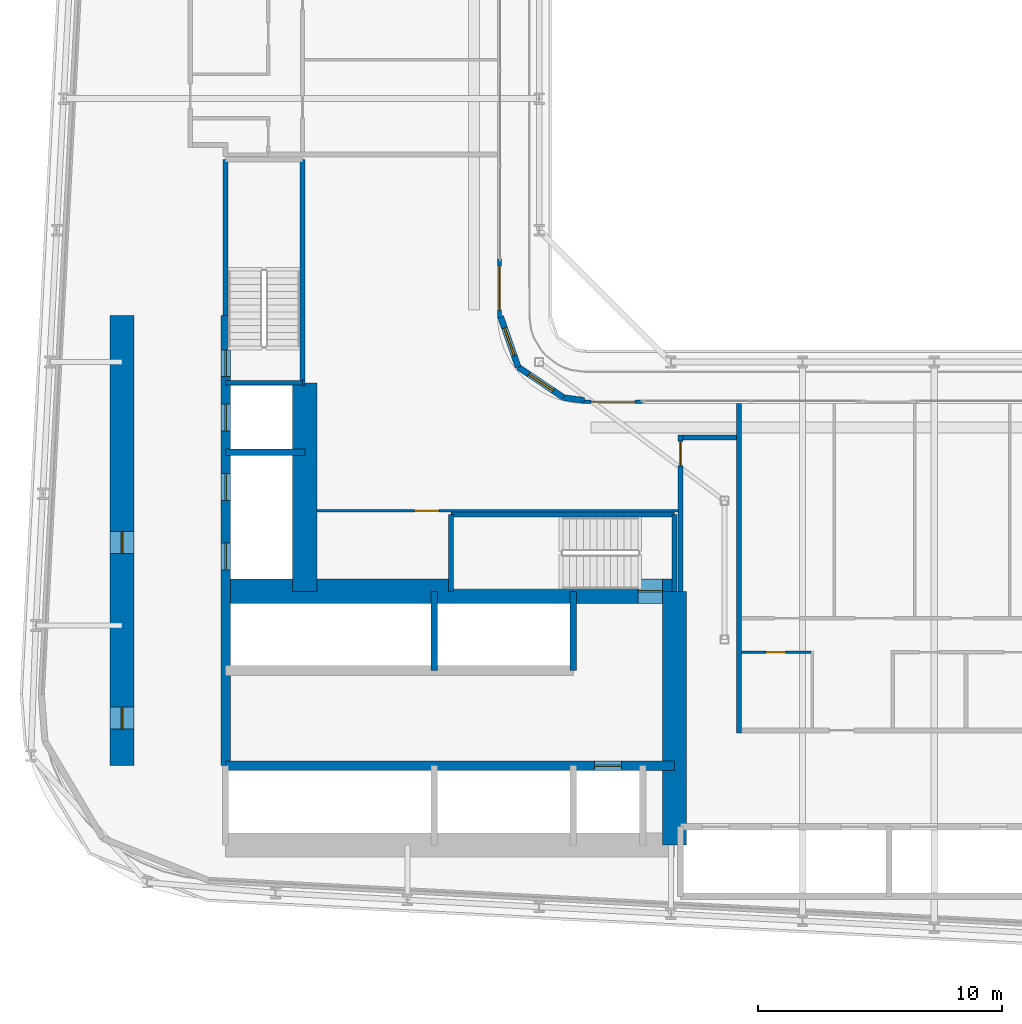
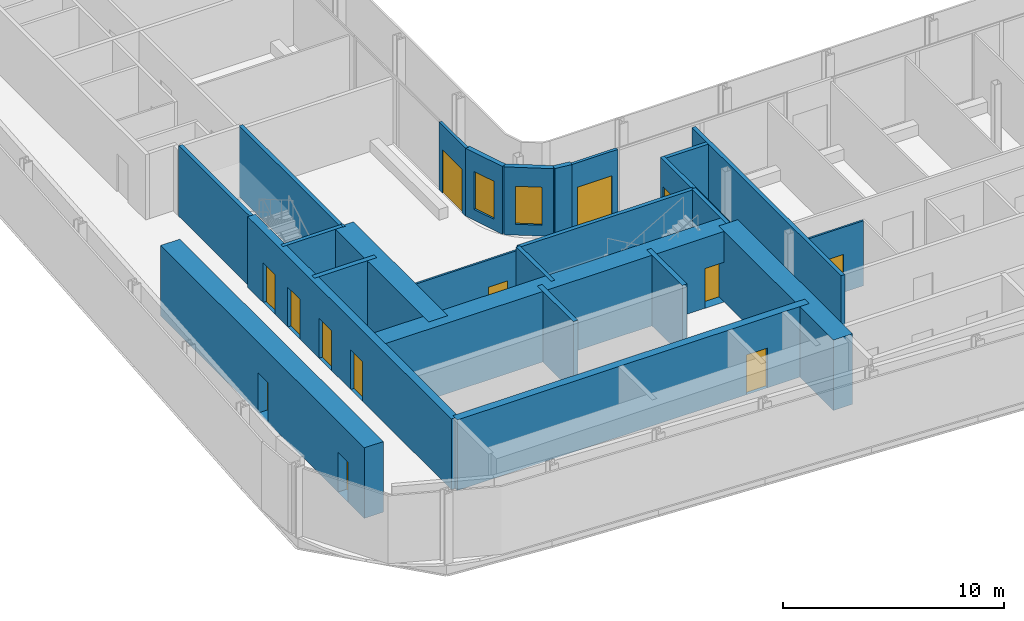
# One storey, part 13 of 27: 26 walls, 13 doors, 2 windows, 15 openings.
"""IFC4 building model written with IfcOpenShell, lengths in metres."""

from ifc_helpers import new_model, si_unit, direction, frame, frame_2d, origin, place, context, subcontext, project, spatial, rectangle, extrude, source, transform, mapped, material, layer, layer_set, type_object, element, fill, save


model = new_model("IFC4")

# Units and contexts
model_context = context("Model", 3, precision=1e-05, world=origin(), true_north=direction((0.0, 1.0)))
body_context = subcontext(model_context, "Body", "Model", "MODEL_VIEW")
ifc_project = project(units=[si_unit("LENGTHUNIT", "METRE"), si_unit("AREAUNIT", "SQUARE_METRE"), si_unit("VOLUMEUNIT", "CUBIC_METRE"), si_unit("PLANEANGLEUNIT", "RADIAN"), si_unit("MASSUNIT", "GRAM", prefix="KILO")], contexts=[model_context])

# Site, building, storey
site_placement = place(None, origin())
site = spatial("IfcSite", under=ifc_project, at=site_placement, CompositionType="ELEMENT")
building_placement = place(site_placement, origin())
building = spatial("IfcBuilding", under=site, at=building_placement, Name="Kheshtan School and Residences Tower", CompositionType="ELEMENT")
storey_placement = place(building_placement, frame((0.0, 0.0, 46.10009765625)))
storey = spatial("IfcBuildingStorey", under=building, at=storey_placement, Name="L10", CompositionType="ELEMENT", Elevation=46.10009765625)

# Wall, opening, door
ifc_material_1 = material(Name="Concrete C80/95", Category="concrete")
ifc_layer_1 = layer(ifc_material_1, 1.0)
ifc_layer_set_1 = layer_set([ifc_layer_1], Name="Core wall 1000 Concrete C80/95")
wall_type_1 = type_object("IfcWallType", Name="Core wall 1000 Concrete C80/95", PredefinedType="SHEAR", material=ifc_layer_set_1)
wall_1_placement = place(storey_placement, frame((34.75, 36.199951171875, 0.0), z_axis=(0.0, 0.0, 1.0), x_axis=(1.0, 0.0, 0.0)))
wall_1 = element("IfcWall", 1, at=wall_1_placement, inside=storey, type_object=wall_type_1, Name="Core wall CW-FRONT-S", PredefinedType="SHEAR", context=body_context, shape_type="SweptSolid", body=[
    extrude(rectangle(XDim=18.39990234375, YDim=1.0, at=frame_2d((9.199951171875, 0.0))), origin(), (0.0, 0.0, 1.0), 3.89990234375),
])
opening_1_placement = place(wall_1_placement, frame((16.89990234375, 0.0, 0.0)))
opening_1 = element("IfcOpeningElement", 2, at=opening_1_placement, cuts=wall_1, Name="Opening ST1D", PredefinedType="OPENING", context=body_context, shape_type="SweptSolid", body=[
    extrude(rectangle(XDim=1.0, YDim=2.199951171875, at=frame_2d((0.5, 1.10009765625))), frame((0.0, 0.510009765625, 0.0), z_axis=(0.0, -1.0, 0.0), x_axis=(1.0, 0.0, 0.0)), (0.0, 0.0, 1.0), 1.02001953125),
])
ifc_material_2 = material(Name="Steel door leaf, galvanised", Category="steel")
door_type_1 = type_object("IfcDoorType", Name="Stair door 1100 steel 90 min", OperationType="SINGLE_SWING_LEFT", PredefinedType="DOOR", material=ifc_material_2)
shared_shape_1 = source(origin(), body_context, "Body", "SweptSolid", [
    extrude(rectangle(XDim=1.0, YDim=2.199951171875, at=frame_2d((0.5, 1.10009765625))), frame((0.0, 0.02490234375, 0.0), z_axis=(0.0, -1.0, 0.0), x_axis=(1.0, 0.0, 0.0)), (0.0, 0.0, 1.0), 0.050048828125),
])
door_1_placement = place(opening_1_placement, origin())
door_1 = element("IfcDoor", 3, at=door_1_placement, inside=storey, type_object=door_type_1, Name="Stair ST1 door", OperationType="SINGLE_SWING_RIGHT", OverallHeight=2.199951171875, OverallWidth=1.0, PredefinedType="DOOR", context=body_context, shape_type="MappedRepresentation", body=[
    mapped(shared_shape_1, transform((0.0, 0.0, 0.0), x_axis=(1.0, 0.0, 0.0), y_axis=(0.0, 1.0, 0.0), z_axis=(0.0, 0.0, 1.0), scale=1.0)),
])
fill(opening_1, door_1)

# Wall
wall_2_placement = place(storey_placement, frame((38.0, 36.199951171875, 0.0), z_axis=(0.0, 0.0, 1.0), x_axis=(0.0, 1.0, 0.0)))
element("IfcWall", 4, at=wall_2_placement, inside=storey, type_object=wall_type_1, Name="Core wall CW-FRONT-W", PredefinedType="SHEAR", context=body_context, shape_type="SweptSolid", body=[
    extrude(rectangle(XDim=8.550048828125, YDim=1.0, at=frame_2d((4.27490234375, 0.0))), origin(), (0.0, 0.0, 1.0), 3.89990234375),
])

# Wall, openings, doors
wall_3_placement = place(storey_placement, frame((30.5, 29.050048828125, 0.0), z_axis=(0.0, 0.0, 1.0), x_axis=(0.0, 1.0, 0.0)))
wall_3 = element("IfcWall", 5, at=wall_3_placement, inside=storey, type_object=wall_type_1, Name="Core wall CW-REAR-W", PredefinedType="SHEAR", context=body_context, shape_type="SweptSolid", body=[
    extrude(rectangle(XDim=18.449951171875, YDim=1.0, at=frame_2d((9.22509765625, 0.0))), origin(), (0.0, 0.0, 1.0), 3.89990234375),
])
opening_2_placement = place(wall_3_placement, frame((1.5, 0.0, 0.0)))
opening_2 = element("IfcOpeningElement", 6, at=opening_2_placement, cuts=wall_3, Name="Opening SR90", PredefinedType="OPENING", context=body_context, shape_type="SweptSolid", body=[
    extrude(rectangle(XDim=0.89990234375, YDim=2.199951171875, at=frame_2d((0.449951171875, 1.10009765625))), frame((0.0, 0.510009765625, 0.0), z_axis=(0.0, -1.0, 0.0), x_axis=(1.0, 0.0, 0.0)), (0.0, 0.0, 1.0), 1.02001953125),
])
opening_3_placement = place(wall_3_placement, frame((8.705078125, 0.0, 0.0)))
opening_3 = element("IfcOpeningElement", 7, at=opening_3_placement, cuts=wall_3, Name="Opening SR90", PredefinedType="OPENING", context=body_context, shape_type="SweptSolid", body=[
    extrude(rectangle(XDim=0.89990234375, YDim=2.199951171875, at=frame_2d((0.449951171875, 1.10009765625))), frame((0.0, 0.510009765625, 0.0), z_axis=(0.0, -1.0, 0.0), x_axis=(1.0, 0.0, 0.0)), (0.0, 0.0, 1.0), 1.02001953125),
])
door_type_2 = type_object("IfcDoorType", Name="Service room door 900 steel 90 min", OperationType="SINGLE_SWING_LEFT", PredefinedType="DOOR", material=ifc_material_2)
shared_shape_2 = source(origin(), body_context, "Body", "SweptSolid", [
    extrude(rectangle(XDim=0.89990234375, YDim=2.199951171875, at=frame_2d((0.449951171875, 1.10009765625))), frame((0.0, 0.02490234375, 0.0), z_axis=(0.0, -1.0, 0.0), x_axis=(1.0, 0.0, 0.0)), (0.0, 0.0, 1.0), 0.050048828125),
])
door_2_placement = place(opening_2_placement, origin())
door_2 = element("IfcDoor", 8, at=door_2_placement, inside=storey, type_object=door_type_2, Name="Service room door", OperationType="SINGLE_SWING_LEFT", OverallHeight=2.199951171875, OverallWidth=0.89990234375, PredefinedType="DOOR", context=body_context, shape_type="MappedRepresentation", body=[
    mapped(shared_shape_2, transform((0.0, 0.0, 0.0), x_axis=(1.0, 0.0, 0.0), y_axis=(0.0, 1.0, 0.0), z_axis=(0.0, 0.0, 1.0), scale=1.0)),
])
fill(opening_2, door_2)
door_3_placement = place(opening_3_placement, origin())
door_3 = element("IfcDoor", 9, at=door_3_placement, inside=storey, type_object=door_type_2, Name="Service room door", OperationType="SINGLE_SWING_LEFT", OverallHeight=2.199951171875, OverallWidth=0.89990234375, PredefinedType="DOOR", context=body_context, shape_type="MappedRepresentation", body=[
    mapped(shared_shape_2, transform((0.0, 0.0, 0.0), x_axis=(1.0, 0.0, 0.0), y_axis=(0.0, 1.0, 0.0), z_axis=(0.0, 0.0, 1.0), scale=1.0)),
])
fill(opening_3, door_3)

# Wall
wall_4_placement = place(storey_placement, frame((53.14990234375, 25.800048828125, 0.0), z_axis=(0.0, 0.0, 1.0), x_axis=(0.0, 1.0, 0.0)))
element("IfcWall", 10, at=wall_4_placement, inside=storey, type_object=wall_type_1, Name="Core wall CW-EAST", PredefinedType="SHEAR", context=body_context, shape_type="SweptSolid", body=[
    extrude(rectangle(XDim=10.39990234375, YDim=1.0, at=frame_2d((5.199951171875, 0.0))), origin(), (0.0, 0.0, 1.0), 3.89990234375),
])

# Wall, opening, door
ifc_material_3 = material(Name="Concrete C50/60", Category="concrete")
ifc_layer_2 = layer(ifc_material_3, 0.39990234375)
ifc_layer_set_2 = layer_set([ifc_layer_2], Name="Core wall 400 Concrete C50/60")
wall_type_2 = type_object("IfcWallType", Name="Core wall 400 Concrete C50/60", PredefinedType="SHEAR", material=ifc_layer_set_2)
wall_5_placement = place(storey_placement, frame((34.75, 29.050048828125, 0.0), z_axis=(0.0, 0.0, 1.0), x_axis=(1.0, 0.0, 0.0)))
wall_5 = element("IfcWall", 11, at=wall_5_placement, inside=storey, type_object=wall_type_2, Name="Core wall CW-HALL-S1", PredefinedType="SHEAR", context=body_context, shape_type="SweptSolid", body=[
    extrude(rectangle(XDim=18.39990234375, YDim=0.39990234375, at=frame_2d((9.199951171875, 0.0))), origin(), (0.0, 0.0, 1.0), 3.89990234375),
])
opening_4_placement = place(wall_5_placement, frame((15.125, 0.0, 0.0)))
opening_4 = element("IfcOpeningElement", 12, at=opening_4_placement, cuts=wall_5, Name="Opening LD", PredefinedType="OPENING", context=body_context, shape_type="SweptSolid", body=[
    extrude(rectangle(XDim=1.10009765625, YDim=2.199951171875, at=frame_2d((0.550048828125, 1.10009765625))), frame((0.0, 0.2099609375, 0.0), z_axis=(0.0, -1.0, 0.0), x_axis=(1.0, 0.0, 0.0)), (0.0, 0.0, 1.0), 0.419921875),
])
ifc_material_4 = material(Name="Stainless steel door leaves", Category="steel")
door_type_3 = type_object("IfcDoorType", Name="Lift landing door 1100", OperationType="SLIDING_TO_LEFT", PredefinedType="DOOR", material=ifc_material_4)
shared_shape_3 = source(origin(), body_context, "Body", "SweptSolid", [
    extrude(rectangle(XDim=1.10009765625, YDim=2.199951171875, at=frame_2d((0.550048828125, 1.10009765625))), frame((0.0, 0.02490234375, 0.0), z_axis=(0.0, -1.0, 0.0), x_axis=(1.0, 0.0, 0.0)), (0.0, 0.0, 1.0), 0.050048828125),
])
door_4_placement = place(opening_4_placement, origin())
door_4 = element("IfcDoor", 13, at=door_4_placement, inside=storey, type_object=door_type_3, Name="Lift FFL2 landing door", OperationType="SLIDING_TO_LEFT", OverallHeight=2.199951171875, OverallWidth=1.10009765625, PredefinedType="DOOR", context=body_context, shape_type="MappedRepresentation", body=[
    mapped(shared_shape_3, transform((0.0, 0.0, 0.0), x_axis=(1.0, 0.0, 0.0), y_axis=(0.0, 1.0, 0.0), z_axis=(0.0, 0.0, 1.0), scale=1.0)),
])
fill(opening_4, door_4)

# Wall, openings, doors
wall_6_placement = place(storey_placement, frame((34.75, 29.050048828125, 0.0), z_axis=(0.0, 0.0, 1.0), x_axis=(0.0, 1.0, 0.0)))
wall_6 = element("IfcWall", 14, at=wall_6_placement, inside=storey, type_object=wall_type_2, Name="Core wall CW-HALL-W1", PredefinedType="SHEAR", context=body_context, shape_type="SweptSolid", body=[
    extrude(rectangle(XDim=18.449951171875, YDim=0.39990234375, at=frame_2d((9.22509765625, 0.0))), origin(), (0.0, 0.0, 1.0), 3.89990234375),
])
opening_5_placement = place(wall_6_placement, frame((8.02490234375, 0.0, 0.0)))
opening_5 = element("IfcOpeningElement", 15, at=opening_5_placement, cuts=wall_6, Name="Opening LD", PredefinedType="OPENING", context=body_context, shape_type="SweptSolid", body=[
    extrude(rectangle(XDim=1.10009765625, YDim=2.199951171875, at=frame_2d((0.550048828125, 1.10009765625))), frame((0.0, 0.2099609375, 0.0), z_axis=(0.0, -1.0, 0.0), x_axis=(1.0, 0.0, 0.0)), (0.0, 0.0, 1.0), 0.419921875),
])
opening_6_placement = place(wall_6_placement, frame((10.875, 0.0, 0.0)))
opening_6 = element("IfcOpeningElement", 16, at=opening_6_placement, cuts=wall_6, Name="Opening LD", PredefinedType="OPENING", context=body_context, shape_type="SweptSolid", body=[
    extrude(rectangle(XDim=1.10009765625, YDim=2.199951171875, at=frame_2d((0.550048828125, 1.10009765625))), frame((0.0, 0.2099609375, 0.0), z_axis=(0.0, -1.0, 0.0), x_axis=(1.0, 0.0, 0.0)), (0.0, 0.0, 1.0), 0.419921875),
])
opening_7_placement = place(wall_6_placement, frame((13.72509765625, 0.0, 0.0)))
opening_7 = element("IfcOpeningElement", 17, at=opening_7_placement, cuts=wall_6, Name="Opening LD", PredefinedType="OPENING", context=body_context, shape_type="SweptSolid", body=[
    extrude(rectangle(XDim=1.10009765625, YDim=2.199951171875, at=frame_2d((0.550048828125, 1.10009765625))), frame((0.0, 0.2099609375, 0.0), z_axis=(0.0, -1.0, 0.0), x_axis=(1.0, 0.0, 0.0)), (0.0, 0.0, 1.0), 0.419921875),
])
opening_8_placement = place(wall_6_placement, frame((15.949951171875, 0.0, 0.0)))
opening_8 = element("IfcOpeningElement", 18, at=opening_8_placement, cuts=wall_6, Name="Opening ST2D", PredefinedType="OPENING", context=body_context, shape_type="SweptSolid", body=[
    extrude(rectangle(XDim=1.10009765625, YDim=2.199951171875, at=frame_2d((0.550048828125, 1.10009765625))), frame((0.0, 0.2099609375, 0.0), z_axis=(0.0, -1.0, 0.0), x_axis=(1.0, 0.0, 0.0)), (0.0, 0.0, 1.0), 0.419921875),
])
door_5_placement = place(opening_5_placement, origin())
door_5 = element("IfcDoor", 19, at=door_5_placement, inside=storey, type_object=door_type_3, Name="Lift SV1 landing door", OperationType="SLIDING_TO_LEFT", OverallHeight=2.199951171875, OverallWidth=1.10009765625, PredefinedType="DOOR", context=body_context, shape_type="MappedRepresentation", body=[
    mapped(shared_shape_3, transform((0.0, 0.0, 0.0), x_axis=(1.0, 0.0, 0.0), y_axis=(0.0, 1.0, 0.0), z_axis=(0.0, 0.0, 1.0), scale=1.0)),
])
fill(opening_5, door_5)
door_6_placement = place(opening_6_placement, origin())
door_6 = element("IfcDoor", 20, at=door_6_placement, inside=storey, type_object=door_type_3, Name="Lift SV2 landing door", OperationType="SLIDING_TO_LEFT", OverallHeight=2.199951171875, OverallWidth=1.10009765625, PredefinedType="DOOR", context=body_context, shape_type="MappedRepresentation", body=[
    mapped(shared_shape_3, transform((0.0, 0.0, 0.0), x_axis=(1.0, 0.0, 0.0), y_axis=(0.0, 1.0, 0.0), z_axis=(0.0, 0.0, 1.0), scale=1.0)),
])
fill(opening_6, door_6)
door_7_placement = place(opening_7_placement, origin())
door_7 = element("IfcDoor", 21, at=door_7_placement, inside=storey, type_object=door_type_3, Name="Lift FFL1 landing door", OperationType="SLIDING_TO_LEFT", OverallHeight=2.199951171875, OverallWidth=1.10009765625, PredefinedType="DOOR", context=body_context, shape_type="MappedRepresentation", body=[
    mapped(shared_shape_3, transform((0.0, 0.0, 0.0), x_axis=(1.0, 0.0, 0.0), y_axis=(0.0, 1.0, 0.0), z_axis=(0.0, 0.0, 1.0), scale=1.0)),
])
fill(opening_7, door_7)
shared_shape_4 = source(origin(), body_context, "Body", "SweptSolid", [
    extrude(rectangle(XDim=1.10009765625, YDim=2.199951171875, at=frame_2d((0.550048828125, 1.10009765625))), frame((0.0, 0.02490234375, 0.0), z_axis=(0.0, -1.0, 0.0), x_axis=(1.0, 0.0, 0.0)), (0.0, 0.0, 1.0), 0.050048828125),
])
door_8_placement = place(opening_8_placement, origin())
door_8 = element("IfcDoor", 22, at=door_8_placement, inside=storey, type_object=door_type_1, Name="Stair ST2 door", OperationType="SINGLE_SWING_RIGHT", OverallHeight=2.199951171875, OverallWidth=1.10009765625, PredefinedType="DOOR", context=body_context, shape_type="MappedRepresentation", body=[
    mapped(shared_shape_4, transform((0.0, 0.0, 0.0), x_axis=(1.0, 0.0, 0.0), y_axis=(0.0, 1.0, 0.0), z_axis=(0.0, 0.0, 1.0), scale=1.0)),
])
fill(opening_8, door_8)

# Wall, opening, door
ifc_material_5 = material(Name="Gypsum board on steel studs with fire boards", Category="steel")
ifc_layer_3 = layer(ifc_material_5, 0.199951171875)
ifc_layer_set_3 = layer_set([ifc_layer_3], Name="Corridor wall 200")
wall_type_3 = type_object("IfcWallType", Name="Corridor wall 200", PredefinedType="PARTITIONING", material=ifc_layer_set_3)
wall_7_placement = place(storey_placement, frame((53.39990234375, 36.198974609375, 0.0), z_axis=(0.0, 0.0, 1.0), x_axis=(0.0, 1.0, 0.0)))
wall_7 = element("IfcWall", 23, at=wall_7_placement, inside=storey, type_object=wall_type_3, Name="Partition L10-045", PredefinedType="PARTITIONING", context=body_context, shape_type="SweptSolid", body=[
    extrude(rectangle(XDim=6.401123046875, YDim=0.199951171875, at=frame_2d((3.20068359375, 0.0))), origin(), (0.0, 0.0, 1.0), 3.599853515625),
])
opening_9_placement = place(wall_7_placement, frame((5.15087890625, 0.0, 0.0)))
opening_9 = element("IfcOpeningElement", 24, at=opening_9_placement, cuts=wall_7, Name="Opening D10-057", PredefinedType="OPENING", context=body_context, shape_type="SweptSolid", body=[
    extrude(rectangle(XDim=1.0, YDim=2.10009765625, at=frame_2d((0.5, 1.050048828125))), frame((0.0, 0.10986328125, 0.0), z_axis=(0.0, -1.0, 0.0), x_axis=(1.0, 0.0, 0.0)), (0.0, 0.0, 1.0), 0.219970703125),
])
ifc_material_6 = material(Name="Steel-framed fire-resisting door leaf", Category="steel")
door_type_4 = type_object("IfcDoorType", Name="Fire door FD60 1000 x 2100", OperationType="SINGLE_SWING_LEFT", PredefinedType="DOOR", material=ifc_material_6)
shared_shape_5 = source(origin(), body_context, "Body", "SweptSolid", [
    extrude(rectangle(XDim=1.0, YDim=2.10009765625, at=frame_2d((0.5, 1.050048828125))), frame((0.0, 0.02490234375, 0.0), z_axis=(0.0, -1.0, 0.0), x_axis=(1.0, 0.0, 0.0)), (0.0, 0.0, 1.0), 0.050048828125),
])
door_9_placement = place(opening_9_placement, origin())
door_9 = element("IfcDoor", 25, at=door_9_placement, inside=storey, type_object=door_type_4, Name="Door D10-057", OperationType="SINGLE_SWING_RIGHT", OverallHeight=2.10009765625, OverallWidth=1.0, PredefinedType="DOOR", context=body_context, shape_type="MappedRepresentation", body=[
    mapped(shared_shape_5, transform((0.0, 0.0, 0.0), x_axis=(1.0, 0.0, 0.0), y_axis=(0.0, 1.0, 0.0), z_axis=(0.0, 0.0, 1.0), scale=1.0)),
])
fill(opening_9, door_9)

# Wall
wall_8_placement = place(storey_placement, frame((53.5, 42.5, 0.0), z_axis=(0.0, 0.0, 1.0), x_axis=(1.0, 0.0, 0.0)))
element("IfcWall", 26, at=wall_8_placement, inside=storey, type_object=wall_type_3, Name="Partition L10-046", PredefinedType="PARTITIONING", context=body_context, shape_type="SweptSolid", body=[
    extrude(rectangle(XDim=2.199951171875, YDim=0.199951171875, at=frame_2d((1.10009765625, 0.0))), origin(), (0.0, 0.0, 1.0), 3.599853515625),
])

# Wall, opening, window
ifc_material_7 = material(Name="Concrete C40/50 with ceramic cladding and mineral wool insulation", Category="concrete")
ifc_layer_4 = layer(ifc_material_7, 0.25)
ifc_layer_set_4 = layer_set([ifc_layer_4], Name="External wall 250 ceramic clad")
wall_type_4 = type_object("IfcWallType", Name="External wall 250 ceramic clad", PredefinedType="SOLIDWALL", material=ifc_layer_set_4)
wall_9_placement = place(storey_placement, frame((46.01806640625, 47.470947265625, 0.0), z_axis=(0.0, 0.0, 1.0), x_axis=(0.328791208903, -0.944402637093, 0.0)))
wall_9 = element("IfcWall", 27, at=wall_9_placement, inside=storey, type_object=wall_type_4, Name="External wall L10 9", PredefinedType="SOLIDWALL", context=body_context, shape_type="SweptSolid", body=[
    extrude(rectangle(XDim=2.20458984375, YDim=0.25, at=frame_2d((1.102294921875, 0.0))), origin(), (0.0, 0.0, 1.0), 3.75),
])
opening_10_placement = place(wall_9_placement, frame((0.5029296875, 0.0, 0.60009765625)))
opening_10 = element("IfcOpeningElement", 28, at=opening_10_placement, cuts=wall_9, Name="Opening WN-E", PredefinedType="OPENING", context=body_context, shape_type="SweptSolid", body=[
    extrude(rectangle(XDim=1.199951171875, YDim=2.10009765625, at=frame_2d((0.60009765625, 1.050048828125))), frame((0.0, 0.135009765625, 0.0), z_axis=(0.0, -1.0, 0.0), x_axis=(1.0, 0.0, 0.0)), (0.0, 0.0, 1.0), 0.27001953125),
])
ifc_material_8 = material(Name="Clear low-e glass in thermally broken aluminium frame", Category="aluminium")
window_type = type_object("IfcWindowType", Name="Window WN-E", PartitioningType="SINGLE_PANEL", PredefinedType="WINDOW", material=ifc_material_8)
shared_shape_6 = source(origin(), body_context, "Body", "SweptSolid", [
    extrude(rectangle(XDim=1.199951171875, YDim=2.10009765625, at=frame_2d((0.60009765625, 1.050048828125))), frame((0.0, 0.030029296875, 0.0), z_axis=(0.0, -1.0, 0.0), x_axis=(1.0, 0.0, 0.0)), (0.0, 0.0, 1.0), 0.06005859375),
])
window_1_placement = place(opening_10_placement, origin())
window_1 = element("IfcWindow", 29, at=window_1_placement, inside=storey, type_object=window_type, Name="Window L10 9", OverallHeight=2.10009765625, OverallWidth=1.199951171875, PartitioningType="SINGLE_PANEL", PredefinedType="WINDOW", context=body_context, shape_type="MappedRepresentation", body=[
    mapped(shared_shape_6, transform((0.0, 0.0, 0.0), x_axis=(1.0, 0.0, 0.0), y_axis=(0.0, 1.0, 0.0), z_axis=(0.0, 0.0, 1.0), scale=1.0)),
])
fill(opening_10, window_1)

wall_10_placement = place(storey_placement, frame((46.742919921875, 45.388916015625, 0.0), z_axis=(0.0, 0.0, 1.0), x_axis=(0.831449265529, -0.555600682912, 0.0)))
wall_10 = element("IfcWall", 30, at=wall_10_placement, inside=storey, type_object=wall_type_4, Name="External wall L10 10", PredefinedType="SOLIDWALL", context=body_context, shape_type="SweptSolid", body=[
    extrude(rectangle(XDim=2.25146484375, YDim=0.25, at=frame_2d((1.125732421875, 0.0))), origin(), (0.0, 0.0, 1.0), 3.75),
])
opening_11_placement = place(wall_10_placement, frame((0.52490234375, 0.0, 0.60009765625)))
opening_11 = element("IfcOpeningElement", 31, at=opening_11_placement, cuts=wall_10, Name="Opening WN-E", PredefinedType="OPENING", context=body_context, shape_type="SweptSolid", body=[
    extrude(rectangle(XDim=1.199951171875, YDim=2.10009765625, at=frame_2d((0.60009765625, 1.050048828125))), frame((0.0, 0.135009765625, 0.0), z_axis=(0.0, -1.0, 0.0), x_axis=(1.0, 0.0, 0.0)), (0.0, 0.0, 1.0), 0.27001953125),
])
window_2_placement = place(opening_11_placement, origin())
window_2 = element("IfcWindow", 32, at=window_2_placement, inside=storey, type_object=window_type, Name="Window L10 10", OverallHeight=2.10009765625, OverallWidth=1.199951171875, PartitioningType="SINGLE_PANEL", PredefinedType="WINDOW", context=body_context, shape_type="MappedRepresentation", body=[
    mapped(shared_shape_6, transform((0.0, 0.0, 0.0), x_axis=(1.0, 0.0, 0.0), y_axis=(0.0, 1.0, 0.0), z_axis=(0.0, 0.0, 1.0), scale=1.0)),
])
fill(opening_11, window_2)

# Wall
wall_11_placement = place(storey_placement, frame((48.614990234375, 44.137939453125, 0.0), z_axis=(0.0, 0.0, 1.0), x_axis=(0.990741504246, -0.135761819977, 0.0)))
element("IfcWall", 33, at=wall_11_placement, inside=storey, type_object=wall_type_4, Name="External wall L10 11", PredefinedType="SOLIDWALL", context=body_context, shape_type="SweptSolid", body=[
    extrude(rectangle(XDim=0.83984375, YDim=0.25, at=frame_2d((0.419921875, 0.0))), origin(), (0.0, 0.0, 1.0), 3.75),
])

# Wall, opening, door
ifc_material_9 = material(Name="Aluminium frame wall with insulated infill", Category="aluminium")
ifc_layer_5 = layer(ifc_material_9, 0.14990234375)
ifc_layer_set_5 = layer_set([ifc_layer_5], Name="Glazing frame wall 150")
wall_type_5 = type_object("IfcWallType", Name="Glazing frame wall 150", PredefinedType="SOLIDWALL", material=ifc_layer_set_5)
wall_12_placement = place(storey_placement, frame((45.97509765625, 49.830078125, 0.0), z_axis=(0.0, 0.0, 1.0), x_axis=(0.0, -1.0, 0.0)))
wall_12 = element("IfcWall", 34, at=wall_12_placement, inside=storey, type_object=wall_type_5, Name="Balcony door wall L10 8.5", PredefinedType="SOLIDWALL", context=body_context, shape_type="SweptSolid", body=[
    extrude(rectangle(XDim=2.400146484375, YDim=0.14990234375, at=frame_2d((1.2001953125, 0.0))), origin(), (0.0, 0.0, 1.0), 3.75),
])
opening_12_placement = place(wall_12_placement, frame((0.300048828125, 0.0, 0.0)))
opening_12 = element("IfcOpeningElement", 35, at=opening_12_placement, cuts=wall_12, Name="Opening BD", PredefinedType="OPENING", context=body_context, shape_type="SweptSolid", body=[
    extrude(rectangle(XDim=1.800048828125, YDim=2.39990234375, at=frame_2d((0.89990234375, 1.199951171875))), frame((0.0, 0.0849609375, 0.0), z_axis=(0.0, -1.0, 0.0), x_axis=(1.0, 0.0, 0.0)), (0.0, 0.0, 1.0), 0.169921875),
])
door_type_5 = type_object("IfcDoorType", Name="Balcony sliding door", OperationType="SLIDING_TO_LEFT", PredefinedType="DOOR", material=ifc_material_8)
shared_shape_7 = source(origin(), body_context, "Body", "SweptSolid", [
    extrude(rectangle(XDim=1.800048828125, YDim=2.39990234375, at=frame_2d((0.89990234375, 1.199951171875))), frame((0.0, 0.02490234375, 0.0), z_axis=(0.0, -1.0, 0.0), x_axis=(1.0, 0.0, 0.0)), (0.0, 0.0, 1.0), 0.050048828125),
])
door_10_placement = place(opening_12_placement, origin())
door_10 = element("IfcDoor", 36, at=door_10_placement, inside=storey, type_object=door_type_5, Name="Balcony door L10 8.5", OperationType="SLIDING_TO_LEFT", OverallHeight=2.39990234375, OverallWidth=1.800048828125, PredefinedType="DOOR", context=body_context, shape_type="MappedRepresentation", body=[
    mapped(shared_shape_7, transform((0.0, 0.0, 0.0), x_axis=(1.0, 0.0, 0.0), y_axis=(0.0, 1.0, 0.0), z_axis=(0.0, 0.0, 1.0), scale=1.0)),
])
fill(opening_12, door_10)

wall_13_placement = place(storey_placement, frame((49.429931640625, 43.97509765625, 0.0), z_axis=(0.0, 0.0, 1.0), x_axis=(1.0, 0.0, 0.0)))
wall_13 = element("IfcWall", 37, at=wall_13_placement, inside=storey, type_object=wall_type_5, Name="Balcony door wall L10 12.1", PredefinedType="SOLIDWALL", context=body_context, shape_type="SweptSolid", body=[
    extrude(rectangle(XDim=2.400146484375, YDim=0.14990234375, at=frame_2d((1.2001953125, 0.0))), origin(), (0.0, 0.0, 1.0), 3.75),
])
opening_13_placement = place(wall_13_placement, frame((0.300048828125, 0.0, 0.0)))
opening_13 = element("IfcOpeningElement", 38, at=opening_13_placement, cuts=wall_13, Name="Opening BD", PredefinedType="OPENING", context=body_context, shape_type="SweptSolid", body=[
    extrude(rectangle(XDim=1.800048828125, YDim=2.39990234375, at=frame_2d((0.89990234375, 1.199951171875))), frame((0.0, 0.0849609375, 0.0), z_axis=(0.0, -1.0, 0.0), x_axis=(1.0, 0.0, 0.0)), (0.0, 0.0, 1.0), 0.169921875),
])
door_11_placement = place(opening_13_placement, origin())
door_11 = element("IfcDoor", 39, at=door_11_placement, inside=storey, type_object=door_type_5, Name="Balcony door L10 12.1", OperationType="SLIDING_TO_LEFT", OverallHeight=2.39990234375, OverallWidth=1.800048828125, PredefinedType="DOOR", context=body_context, shape_type="MappedRepresentation", body=[
    mapped(shared_shape_7, transform((0.0, 0.0, 0.0), x_axis=(1.0, 0.0, 0.0), y_axis=(0.0, 1.0, 0.0), z_axis=(0.0, 0.0, 1.0), scale=1.0)),
])
fill(opening_13, door_11)

ifc_material_10 = material(Name="Gypsum board on steel studs", Category="steel")
ifc_layer_6 = layer(ifc_material_10, 0.10009765625)
ifc_layer_set_6 = layer_set([ifc_layer_6], Name="Gypsum partition 100")
wall_type_6 = type_object("IfcWallType", Name="Gypsum partition 100", PredefinedType="PARTITIONING", material=ifc_layer_set_6)
wall_14_placement = place(storey_placement, frame((38.4990234375, 39.5, 0.0), z_axis=(0.0, 0.0, 1.0), x_axis=(1.0, 0.0, 0.0)))
wall_14 = element("IfcWall", 40, at=wall_14_placement, inside=storey, type_object=wall_type_6, Name="Partition L10-043", PredefinedType="PARTITIONING", context=body_context, shape_type="SweptSolid", body=[
    extrude(rectangle(XDim=14.801025390625, YDim=0.10009765625, at=frame_2d((7.400390625, 0.0))), origin(), (0.0, 0.0, 1.0), 3.599853515625),
])
opening_14_placement = place(wall_14_placement, frame((3.9970703125, 0.0, 0.0)))
opening_14 = element("IfcOpeningElement", 41, at=opening_14_placement, cuts=wall_14, Name="Opening D10-056", PredefinedType="OPENING", context=body_context, shape_type="SweptSolid", body=[
    extrude(rectangle(XDim=1.0, YDim=2.10009765625, at=frame_2d((0.5, 1.050048828125))), frame((0.0, 0.06005859375, 0.0), z_axis=(0.0, -1.0, 0.0), x_axis=(1.0, 0.0, 0.0)), (0.0, 0.0, 1.0), 0.1201171875),
])
ifc_material_11 = material(Name="Veneered timber door leaf", Category="wood")
door_type_6 = type_object("IfcDoorType", Name="Door 1000 x 2100", OperationType="SINGLE_SWING_LEFT", PredefinedType="DOOR", material=ifc_material_11)
shared_shape_8 = source(origin(), body_context, "Body", "SweptSolid", [
    extrude(rectangle(XDim=1.0, YDim=2.10009765625, at=frame_2d((0.5, 1.050048828125))), frame((0.0, 0.02490234375, 0.0), z_axis=(0.0, -1.0, 0.0), x_axis=(1.0, 0.0, 0.0)), (0.0, 0.0, 1.0), 0.050048828125),
])
door_12_placement = place(opening_14_placement, origin())
door_12 = element("IfcDoor", 42, at=door_12_placement, inside=storey, type_object=door_type_6, Name="Door D10-056", OperationType="SINGLE_SWING_LEFT", OverallHeight=2.10009765625, OverallWidth=1.0, PredefinedType="DOOR", context=body_context, shape_type="MappedRepresentation", body=[
    mapped(shared_shape_8, transform((0.0, 0.0, 0.0), x_axis=(1.0, 0.0, 0.0), y_axis=(0.0, 1.0, 0.0), z_axis=(0.0, 0.0, 1.0), scale=1.0)),
])
fill(opening_14, door_12)

wall_15_placement = place(storey_placement, frame((55.89990234375, 33.699951171875, 0.0), z_axis=(0.0, 0.0, 1.0), x_axis=(1.0, 0.0, 0.0)))
wall_15 = element("IfcWall", 43, at=wall_15_placement, inside=storey, type_object=wall_type_6, Name="Partition L10-049", PredefinedType="PARTITIONING", context=body_context, shape_type="SweptSolid", body=[
    extrude(rectangle(XDim=2.85009765625, YDim=0.10009765625, at=frame_2d((1.425048828125, 0.0))), origin(), (0.0, 0.0, 1.0), 3.599853515625),
])
opening_15_placement = place(wall_15_placement, frame((1.0, 0.0, 0.0)))
opening_15 = element("IfcOpeningElement", 44, at=opening_15_placement, cuts=wall_15, Name="Opening D10-005", PredefinedType="OPENING", context=body_context, shape_type="SweptSolid", body=[
    extrude(rectangle(XDim=0.800048828125, YDim=2.10009765625, at=frame_2d((0.39990234375, 1.050048828125))), frame((0.0, 0.06005859375, 0.0), z_axis=(0.0, -1.0, 0.0), x_axis=(1.0, 0.0, 0.0)), (0.0, 0.0, 1.0), 0.1201171875),
])
door_type_7 = type_object("IfcDoorType", Name="Door 800 x 2100", OperationType="SINGLE_SWING_LEFT", PredefinedType="DOOR", material=ifc_material_11)
shared_shape_9 = source(origin(), body_context, "Body", "SweptSolid", [
    extrude(rectangle(XDim=0.800048828125, YDim=2.10009765625, at=frame_2d((0.39990234375, 1.050048828125))), frame((0.0, 0.02490234375, 0.0), z_axis=(0.0, -1.0, 0.0), x_axis=(1.0, 0.0, 0.0)), (0.0, 0.0, 1.0), 0.050048828125),
])
door_13_placement = place(opening_15_placement, origin())
door_13 = element("IfcDoor", 45, at=door_13_placement, inside=storey, type_object=door_type_7, Name="Door D10-005", OperationType="SINGLE_SWING_RIGHT", OverallHeight=2.10009765625, OverallWidth=0.800048828125, PredefinedType="DOOR", context=body_context, shape_type="MappedRepresentation", body=[
    mapped(shared_shape_9, transform((0.0, 0.0, 0.0), x_axis=(1.0, 0.0, 0.0), y_axis=(0.0, 1.0, 0.0), z_axis=(0.0, 0.0, 1.0), scale=1.0)),
])
fill(opening_15, door_13)

# Walls
ifc_material_12 = material(Name="Fire-board shaft wall system")
ifc_layer_7 = layer(ifc_material_12, 0.25)
ifc_layer_set_7 = layer_set([ifc_layer_7], Name="Shaft lining wall 250")
wall_type_7 = type_object("IfcWallType", Name="Shaft lining wall 250", PredefinedType="PARTITIONING", material=ifc_layer_set_7)
for number, where, z_axis, x_axis, name in (
    (46, (43.300048828125, 32.949951171875, 0.0), (0.0, 0.0, 1.0), (0.0, 1.0, 0.0), "Shaft lining wall"),
    (47, (49.0, 32.949951171875, 0.0), (0.0, 0.0, 1.0), (0.0, 1.0, 0.0), "Shaft lining wall"),
    (48, (34.75, 41.89990234375, 0.0), (0.0, 0.0, 1.0), (1.0, 0.0, 0.0), "Shaft lining wall"),
):
    element("IfcWall", number, at=place(storey_placement, frame(where, z_axis=z_axis, x_axis=x_axis)), inside=storey, type_object=wall_type_7, Name=name, PredefinedType="PARTITIONING", context=body_context, shape_type="SweptSolid", body=[
        extrude(rectangle(XDim=3.25, YDim=0.25, at=frame_2d((1.625, 0.0))), origin(), (0.0, 0.0, 1.0), 3.89990234375),
    ])
wall_16_placement = place(storey_placement, frame((37.89990234375, 44.75, 0.0), z_axis=(0.0, 0.0, 1.0), x_axis=(1.0, 0.0, 0.0)))
element("IfcWall", 49, at=wall_16_placement, inside=storey, type_object=wall_type_7, Name="Shaft lining wall", PredefinedType="PARTITIONING", context=body_context, shape_type="SweptSolid", body=[
    extrude(rectangle(XDim=0.10009765625, YDim=0.25, at=frame_2d((0.050048828125, 0.0))), origin(), (0.0, 0.0, 1.0), 3.89990234375),
])
ifc_material_13 = material(Name="Concrete C40/50", Category="concrete")
ifc_layer_8 = layer(ifc_material_13, 0.199951171875)
ifc_layer_set_8 = layer_set([ifc_layer_8], Name="Stair enclosure wall 200 Concrete C40/50")
wall_type_8 = type_object("IfcWallType", Name="Stair enclosure wall 200 Concrete C40/50", PredefinedType="SHEAR", material=ifc_layer_set_8)
wall_17_placement = place(storey_placement, frame((43.989990234375, 39.35009765625, 0.0), z_axis=(0.0, 0.0, 1.0), x_axis=(1.0, 0.0, 0.0)))
element("IfcWall", 50, at=wall_17_placement, inside=storey, type_object=wall_type_8, Name="Stair enclosure wall ST1", PredefinedType="SHEAR", context=body_context, shape_type="SweptSolid", body=[
    extrude(rectangle(XDim=9.159912109375, YDim=0.199951171875, at=frame_2d((4.580078125, 0.0))), origin(), (0.0, 0.0, 1.0), 3.89990234375),
])
for number, where, z_axis, x_axis, name in (
    (51, (43.989990234375, 36.199951171875, 0.0), (0.0, 0.0, 1.0), (0.0, 1.0, 0.0), "Stair enclosure wall ST1"),
    (52, (53.14990234375, 36.199951171875, 0.0), (0.0, 0.0, 1.0), (0.0, 1.0, 0.0), "Stair enclosure wall ST1"),
):
    element("IfcWall", number, at=place(storey_placement, frame(where, z_axis=z_axis, x_axis=x_axis)), inside=storey, type_object=wall_type_8, Name=name, PredefinedType="SHEAR", context=body_context, shape_type="SweptSolid", body=[
        extrude(rectangle(XDim=3.150146484375, YDim=0.199951171875, at=frame_2d((1.5751953125, 0.0))), origin(), (0.0, 0.0, 1.0), 3.89990234375),
    ])
wall_18_placement = place(storey_placement, frame((34.75, 44.75, 0.0), z_axis=(0.0, 0.0, 1.0), x_axis=(1.0, 0.0, 0.0)))
element("IfcWall", 53, at=wall_18_placement, inside=storey, type_object=wall_type_8, Name="Stair enclosure wall ST2", PredefinedType="SHEAR", context=body_context, shape_type="SweptSolid", body=[
    extrude(rectangle(XDim=3.14990234375, YDim=0.199951171875, at=frame_2d((1.574951171875, 0.0))), origin(), (0.0, 0.0, 1.0), 3.89990234375),
])
wall_19_placement = place(storey_placement, frame((34.75, 47.5, 0.0), z_axis=(0.0, 0.0, 1.0), x_axis=(0.0, 1.0, 0.0)))
element("IfcWall", 54, at=wall_19_placement, inside=storey, type_object=wall_type_8, Name="Stair enclosure wall ST2", PredefinedType="SHEAR", context=body_context, shape_type="SweptSolid", body=[
    extrude(rectangle(XDim=6.409912109375, YDim=0.199951171875, at=frame_2d((3.205078125, 0.0))), origin(), (0.0, 0.0, 1.0), 3.89990234375),
])
wall_20_placement = place(storey_placement, frame((37.89990234375, 44.75, 0.0), z_axis=(0.0, 0.0, 1.0), x_axis=(0.0, 1.0, 0.0)))
element("IfcWall", 55, at=wall_20_placement, inside=storey, type_object=wall_type_8, Name="Stair enclosure wall ST2", PredefinedType="SHEAR", context=body_context, shape_type="SweptSolid", body=[
    extrude(rectangle(XDim=9.159912109375, YDim=0.199951171875, at=frame_2d((4.580078125, 0.0))), origin(), (0.0, 0.0, 1.0), 3.89990234375),
])
ifc_material_14 = material(Name="Twin gypsum board on steel studs with mineral wool", Category="steel")
ifc_layer_9 = layer(ifc_material_14, 0.199951171875)
ifc_layer_set_9 = layer_set([ifc_layer_9], Name="Unit demising wall 200")
wall_type_9 = type_object("IfcWallType", Name="Unit demising wall 200", PredefinedType="PARTITIONING", material=ifc_layer_set_9)
wall_21_placement = place(storey_placement, frame((55.800048828125, 30.39990234375, 0.0), z_axis=(0.0, 0.0, 1.0), x_axis=(0.0, 1.0, 0.0)))
element("IfcWall", 56, at=wall_21_placement, inside=storey, type_object=wall_type_9, Name="Partition L10-047", PredefinedType="PARTITIONING", context=body_context, shape_type="SweptSolid", body=[
    extrude(rectangle(XDim=13.5, YDim=0.199951171875, at=frame_2d((6.75, 0.0))), origin(), (0.0, 0.0, 1.0), 3.599853515625),
])

save(model, "model.ifc")
